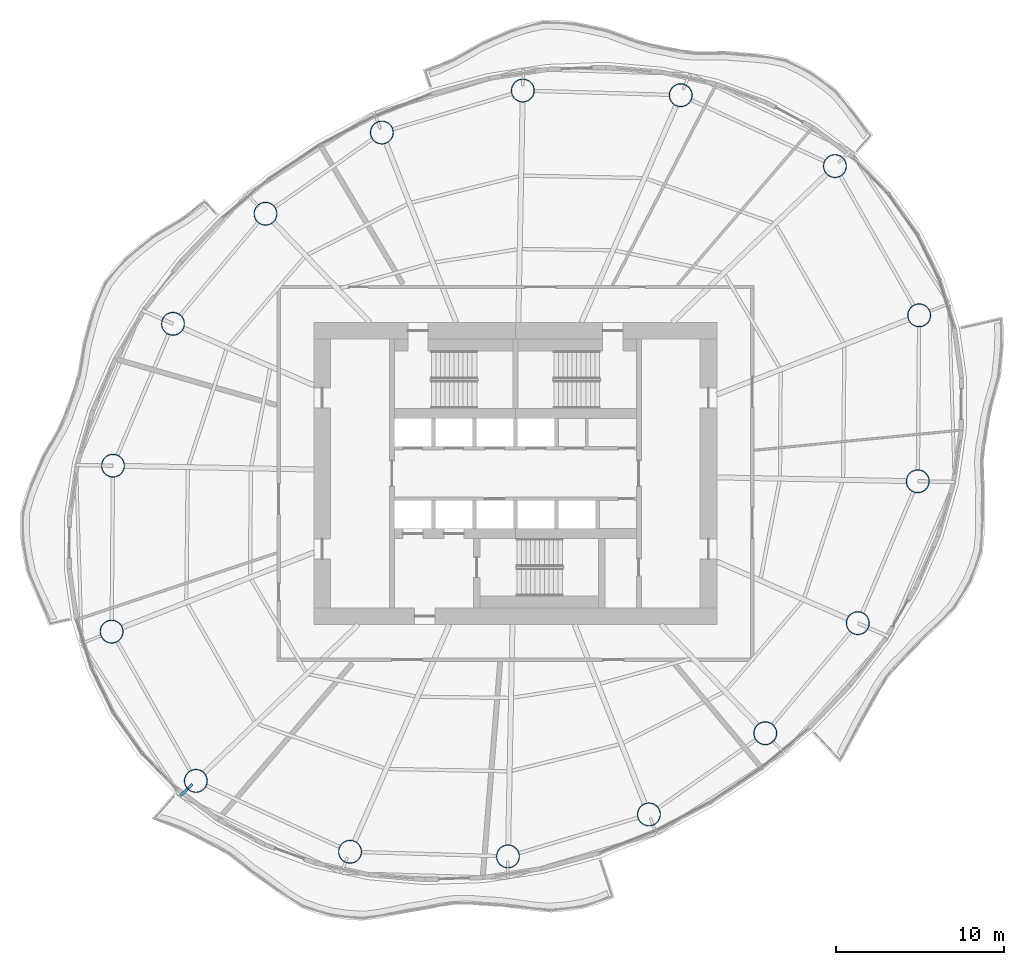
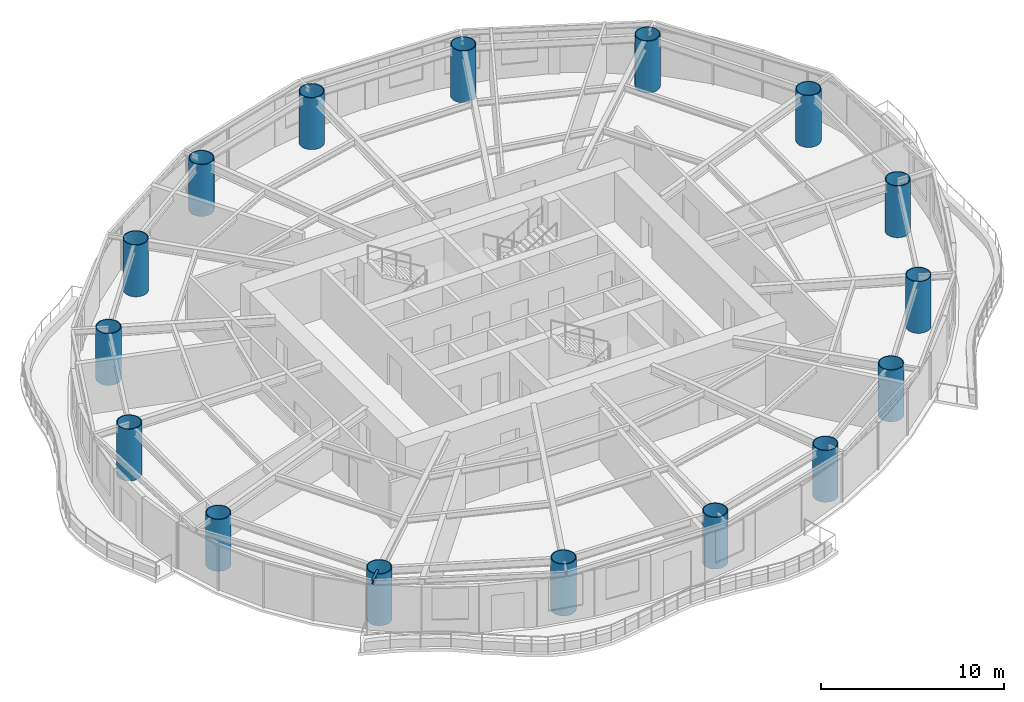
# One storey, part 1 of 14: 16 columns, 1 beam.
"""IFC4 building model written with IfcOpenShell, lengths in metres."""

import ifcopenshell
import ifcopenshell.guid

model = None  # the IFC model being written
_history = None  # IfcOwnerHistory: only IFC2X3 demands one
_inside = {}  # id of a spatial element -> (the spatial element, [elements in it])
_under = {}  # id of a project, library or spatial element -> (it, [spatial elements below it])
_declared = {}  # id of a project -> (the project, [libraries it declares])
_typed = {}  # id of a type object -> (the type object, [elements of that type])
_made_of = {}  # id of a material, layer set ... -> (it, [elements and type objects made of it])


def new_model(schema):
    """Start an empty IFC model of exactly this schema.

    Asked for "IFC4X3", IfcOpenShell would pick the latest addendum, in which some entities
    have other attributes; the version numbers below select the first issue.
    IFC2X3 requires an IfcOwnerHistory on every rooted entity: one is made here for all.
    """
    global model, _history
    if schema == "IFC4X3":
        model = ifcopenshell.file(schema_version=(4, 3, 0, 0))
    else:
        model = ifcopenshell.file(schema=schema)
    _inside.clear()
    _under.clear()
    _declared.clear()
    _typed.clear()
    _made_of.clear()
    _history = None
    if model.schema == "IFC2X3":
        org = make("IfcOrganization", Name="unknown")
        user = make(
            "IfcPersonAndOrganization",
            ThePerson=make("IfcPerson", FamilyName="unknown"),
            TheOrganization=org,
        )
        app = make(
            "IfcApplication",
            ApplicationDeveloper=org,
            Version="unknown",
            ApplicationFullName="unknown",
            ApplicationIdentifier="unknown",
        )
        _history = make(
            "IfcOwnerHistory",
            OwningUser=user,
            OwningApplication=app,
            ChangeAction="ADDED",
            CreationDate=0,
        )
    return model


def make(cls, **values):
    """One entity of the class cls with the attributes given. An attribute that is None is left unset."""
    return model.create_entity(
        cls, **{name: value for name, value in values.items() if value is not None}
    )


def rooted(cls, **values):
    """An entity with a GlobalId (a new one), such as an element, a storey or a relation."""
    return make(cls, GlobalId=ifcopenshell.guid.new(), OwnerHistory=_history, **values)


def si_unit(unit_type, name, prefix=None):
    """IfcSIUnit, for example si_unit("LENGTHUNIT", "METRE", prefix="MILLI")."""
    return make("IfcSIUnit", UnitType=unit_type, Prefix=prefix, Name=name)


def assignment(units):
    """IfcUnitAssignment: the units of a project."""
    return None if units is None else make("IfcUnitAssignment", Units=units)


def point(xyz):
    """IfcCartesianPoint."""
    return None if xyz is None else make("IfcCartesianPoint", Coordinates=xyz)


def direction(xyz):
    """IfcDirection."""
    return None if xyz is None else make("IfcDirection", DirectionRatios=xyz)


def frame(location, z_axis=None, x_axis=None):
    """IfcAxis2Placement3D, a coordinate frame: its origin and axes. An axis left out is left unset."""
    return make(
        "IfcAxis2Placement3D",
        Location=point(location),
        Axis=direction(z_axis),
        RefDirection=direction(x_axis),
    )


def frame_2d(location, x_axis=None):
    """IfcAxis2Placement2D, a coordinate frame in the plane: its origin and x axis."""
    return make(
        "IfcAxis2Placement2D", Location=point(location), RefDirection=direction(x_axis)
    )


def origin():
    """The frame at (0, 0, 0) with its axes left unset."""
    return frame((0.0, 0.0, 0.0))


def origin_2d():
    """The frame at (0, 0) in the plane with its x axis left unset."""
    return frame_2d((0.0, 0.0))


def place(relative_to, where):
    """IfcLocalPlacement: puts the frame where relative to a parent placement (None: the world)."""
    return make(
        "IfcLocalPlacement", PlacementRelTo=relative_to, RelativePlacement=where
    )


def context(
    kind, dimensions, precision=None, world=None, true_north=None, identifier=None
):
    """IfcGeometricRepresentationContext, for example the 3D "Model" context."""
    return make(
        "IfcGeometricRepresentationContext",
        ContextIdentifier=identifier,
        ContextType=kind,
        CoordinateSpaceDimension=dimensions,
        Precision=precision,
        WorldCoordinateSystem=world,
        TrueNorth=true_north,
    )


def subcontext(parent, identifier, kind, view, scale=None):
    """IfcGeometricRepresentationSubContext, for example "Body" below "Model"."""
    return make(
        "IfcGeometricRepresentationSubContext",
        ContextIdentifier=identifier,
        ContextType=kind,
        ParentContext=parent,
        TargetScale=scale,
        TargetView=view,
    )


def project(units=None, contexts=None):
    """IfcProject with its units and contexts."""
    return rooted(
        "IfcProject",
        Name="project",
        RepresentationContexts=contexts,
        UnitsInContext=assignment(units),
    )


def spatial(cls, under=None, at=None, **own):
    """A site, building, storey or space (cls), placed at a placement, below another one or the project."""
    s = rooted(cls, ObjectPlacement=at, **own)
    if under is not None:
        _under.setdefault(under.id(), (under, []))[1].append(s)
    return s


def profile(cls, at=None, kind="AREA", **sizes):
    """A parametric profile (cls). Its sizes go by their IFC names, for example OverallWidth=200.0."""
    return make(cls, ProfileType=kind, Position=at, **sizes)


def hollow_circle(**sizes):
    """IfcCircleHollowProfileDef."""
    return profile("IfcCircleHollowProfileDef", **sizes)


def i_section(**sizes):
    """IfcIShapeProfileDef."""
    return profile("IfcIShapeProfileDef", **sizes)


def extrude(swept, where, along, depth):
    """IfcExtrudedAreaSolid: the profile swept, set in the frame where, extruded along a direction by depth."""
    return make(
        "IfcExtrudedAreaSolid",
        SweptArea=swept,
        Position=where,
        ExtrudedDirection=direction(along),
        Depth=depth,
    )


def shape(context_of_items, identifier, shape_type, items):
    """IfcShapeRepresentation: the items that make up one representation, for example the "Body"."""
    return make(
        "IfcShapeRepresentation",
        ContextOfItems=context_of_items,
        RepresentationIdentifier=identifier,
        RepresentationType=shape_type,
        Items=items,
    )


def material(Name=None, Category=None):
    """IfcMaterial."""
    return make("IfcMaterial", Name=Name, Category=Category)


def material_profile(
    of_material, cross_section, Name=None, Category=None, Priority=None
):
    """IfcMaterialProfile: a cross section and its material."""
    return make(
        "IfcMaterialProfile",
        Name=Name,
        Material=of_material,
        Profile=cross_section,
        Priority=Priority,
        Category=Category,
    )


def profile_set(profiles, Name=None, composite=None):
    """IfcMaterialProfileSet."""
    return make(
        "IfcMaterialProfileSet",
        Name=Name,
        MaterialProfiles=profiles,
        CompositeProfile=composite,
    )


def made_of(thing, what):
    """Note that an element or type object is made of a material, layer set ...; save() writes the relation."""
    if what is not None:
        _made_of.setdefault(what.id(), (what, []))[1].append(thing)
    return thing


def type_object(cls, material=None, **own):
    """A type object (cls), such as IfcWallType, which elements share."""
    return made_of(rooted(cls, **own), material)


def element(
    cls,
    number,
    at=None,
    inside=None,
    cuts=None,
    type_object=None,
    material=None,
    context=None,
    identifier="Body",
    shape_type=None,
    held_by="IfcProductDefinitionShape",
    body=None,
    shapes=None,
    **own,
):
    """One element of the class cls, such as IfcWall. Its Tag is "e" and its number.

    at: its placement. inside: the storey or other place that contains it. cuts: it is an
    opening in that element (IfcRelVoidsElement). A single representation is given by context,
    identifier, shape_type and body (its items); several are given by shapes. held_by: the class
    of the entity that holds the representations. save() writes the other relations.
    """
    e = rooted(cls, Tag="e%d" % number, ObjectPlacement=at, **own)
    if body is not None:
        shapes = [shape(context, identifier, shape_type, body)]
    if shapes is not None:
        e.Representation = make(held_by, Representations=shapes)
    if inside is not None:
        _inside.setdefault(inside.id(), (inside, []))[1].append(e)
    if cuts is not None:
        rooted(
            "IfcRelVoidsElement", RelatingBuildingElement=cuts, RelatedOpeningElement=e
        )
    if type_object is not None:
        _typed.setdefault(type_object.id(), (type_object, []))[1].append(e)
    return made_of(e, material)


def aggregate(whole, parts):
    """IfcRelAggregates: a whole, such as a stair, and the parts it consists of."""
    return rooted("IfcRelAggregates", RelatingObject=whole, RelatedObjects=parts)


def save(model, path):
    """Write the relations noted so far, then the file.

    IfcRelAggregates (storeys below a building ...), IfcRelContainedInSpatialStructure (elements
    in a storey), IfcRelDefinesByType, IfcRelAssociatesMaterial and IfcRelDeclares: one each for
    every whole, place, type object, material and project.
    """
    for whole, parts in _under.values():
        aggregate(whole, parts)
    for where, things in _inside.values():
        rooted(
            "IfcRelContainedInSpatialStructure",
            RelatedElements=things,
            RelatingStructure=where,
        )
    for kind, things in _typed.values():
        rooted("IfcRelDefinesByType", RelatedObjects=things, RelatingType=kind)
    for what, things in _made_of.values():
        rooted("IfcRelAssociatesMaterial", RelatedObjects=things, RelatingMaterial=what)
    for by, libraries in _declared.values():
        rooted("IfcRelDeclares", RelatingContext=by, RelatedDefinitions=libraries)
    model.write(path)


model = new_model("IFC4")

# Units and contexts
model_context = context("Model", 3, precision=1e-05, world=origin(), true_north=direction((0.0, 1.0)))
body_context = subcontext(model_context, "Body", "Model", "MODEL_VIEW")
ifc_project = project(units=[si_unit("LENGTHUNIT", "METRE"), si_unit("AREAUNIT", "SQUARE_METRE"), si_unit("VOLUMEUNIT", "CUBIC_METRE"), si_unit("PLANEANGLEUNIT", "RADIAN"), si_unit("MASSUNIT", "GRAM", prefix="KILO")], contexts=[model_context])

# Site, building, storey
site_placement = place(None, origin())
site = spatial("IfcSite", under=ifc_project, at=site_placement, CompositionType="ELEMENT")
building_placement = place(site_placement, origin())
building = spatial("IfcBuilding", under=site, at=building_placement, Name="Vermilion Reach Broadcast Tower", CompositionType="ELEMENT")
storey_placement = place(building_placement, frame((0.0, 0.0, 157.800048828125)))
storey = spatial("IfcBuildingStorey", under=building, at=storey_placement, Name="L37", CompositionType="ELEMENT", Elevation=157.800048828125)

# Columns
ifc_material_1 = material(Name="Concrete C70 infill in steel S460NL tube", Category="concrete")
ifc_material_profile_1 = material_profile(ifc_material_1, hollow_circle(Radius=0.699951171875, WallThickness=0.050048828125, at=origin_2d()), Name="Concrete C70 infill in steel S460NL tube CFT 1400x50")
ifc_profile_set_1 = profile_set([ifc_material_profile_1], Name="Concrete C70 infill in steel S460NL tube")
column_type = type_object("IfcColumnType", Name="MC3 CFT 1400x50", PredefinedType="COLUMN", material=ifc_profile_set_1)
for number, where, z_axis, x_axis, name in (
    (1, (13.02587890625, 18.302734375, 0.0), (0.0, 0.0, 1.0), (1.0, 0.0, 0.0), "Mega-column MC3-01"),
    (2, (3.84521484375, 22.524169921875, 0.0), (0.0, 0.0, 1.0), (1.0, 0.0, 0.0), "Mega-column MC3-02"),
    (3, (-5.558349609375, 22.800048828125, 0.0), (0.0, 0.0, 1.0), (1.0, 0.0, 0.0), "Mega-column MC3-03"),
    (4, (-13.95166015625, 20.30078125, 0.0), (0.0, 0.0, 1.0), (1.0, 0.0, 0.0), "Mega-column MC3-04"),
    (5, (-20.879150390625, 15.46728515625, 0.0), (0.0, 0.0, 1.0), (1.0, 0.0, 0.0), "Mega-column MC3-05"),
    (6, (-26.38818359375, 8.91162109375, 0.0), (0.0, 0.0, 1.0), (1.0, 0.0, 0.0), "Mega-column MC3-06"),
    (7, (-29.95947265625, 0.464111328125, 0.0), (0.0, 0.0, 1.0), (1.0, 0.0, 0.0), "Mega-column MC3-07"),
    (8, (-30.04052734375, -9.41650390625, 0.0), (0.0, 0.0, 1.0), (1.0, 0.0, 0.0), "Mega-column MC3-08"),
    (9, (-25.02587890625, -18.302734375, 0.0), (0.0, 0.0, 1.0), (1.0, 0.0, 0.0), "Mega-column MC3-09"),
    (10, (-15.84521484375, -22.524169921875, 0.0), (0.0, 0.0, 1.0), (1.0, 0.0, 0.0), "Mega-column MC3-10"),
    (11, (-6.441650390625, -22.800048828125, 0.0), (0.0, 0.0, 1.0), (1.0, 0.0, 0.0), "Mega-column MC3-11"),
    (12, (1.95166015625, -20.30078125, 0.0), (0.0, 0.0, 1.0), (1.0, 0.0, 0.0), "Mega-column MC3-12"),
    (13, (8.879150390625, -15.46728515625, 0.0), (0.0, 0.0, 1.0), (1.0, 0.0, 0.0), "Mega-column MC3-13"),
    (14, (14.38818359375, -8.91162109375, 0.0), (0.0, 0.0, 1.0), (1.0, 0.0, 0.0), "Mega-column MC3-14"),
    (15, (17.95947265625, -0.464111328125, 0.0), (0.0, 0.0, 1.0), (1.0, 0.0, 0.0), "Mega-column MC3-15"),
    (16, (18.04052734375, 9.41650390625, 0.0), (0.0, 0.0, 1.0), (1.0, 0.0, 0.0), "Mega-column MC3-16"),
):
    element("IfcColumn", number, at=place(storey_placement, frame(where, z_axis=z_axis, x_axis=x_axis)), inside=storey, type_object=column_type, Name=name, PredefinedType="COLUMN", context=body_context, shape_type="SweptSolid", body=[
        extrude(hollow_circle(Radius=0.699951171875, WallThickness=0.050048828125, at=origin_2d()), origin(), (0.0, 0.0, 1.0), 3.449951171875),
    ])

# Beam
ifc_material_2 = material(Name="Steel S355J2", Category="steel")
ifc_material_profile_2 = material_profile(ifc_material_2, i_section(OverallWidth=0.14990234375, OverallDepth=0.300048828125, WebThickness=0.006591796875, FlangeThickness=0.009033203125, at=origin_2d()), Name="S355J2 HN 300x150x6.5x9")
ifc_profile_set_2 = profile_set([ifc_material_profile_2], Name="Steel S355J2")
beam_type = type_object("IfcBeamType", Name="GS3 HN 300x150x6.5x9", PredefinedType="BEAM", material=ifc_profile_set_2)
beam_placement = place(storey_placement, frame((-25.237548828125, -18.506103515625, 3.300048828125), z_axis=(-0.720528024691, -0.693425818408, 0.0), x_axis=(0.693425818408, -0.720528024691, 0.0)))
element("IfcBeam", 17, at=beam_placement, inside=storey, type_object=beam_type, Name="Cantilever stub GS3-09", PredefinedType="BEAM", context=body_context, shape_type="SweptSolid", body=[
    extrude(i_section(OverallWidth=0.14990234375, OverallDepth=0.300048828125, WebThickness=0.006591796875, FlangeThickness=0.009033203125, at=origin_2d()), origin(), (0.0, 0.0, 1.0), 1.0),
])

save(model, "model.ifc")
